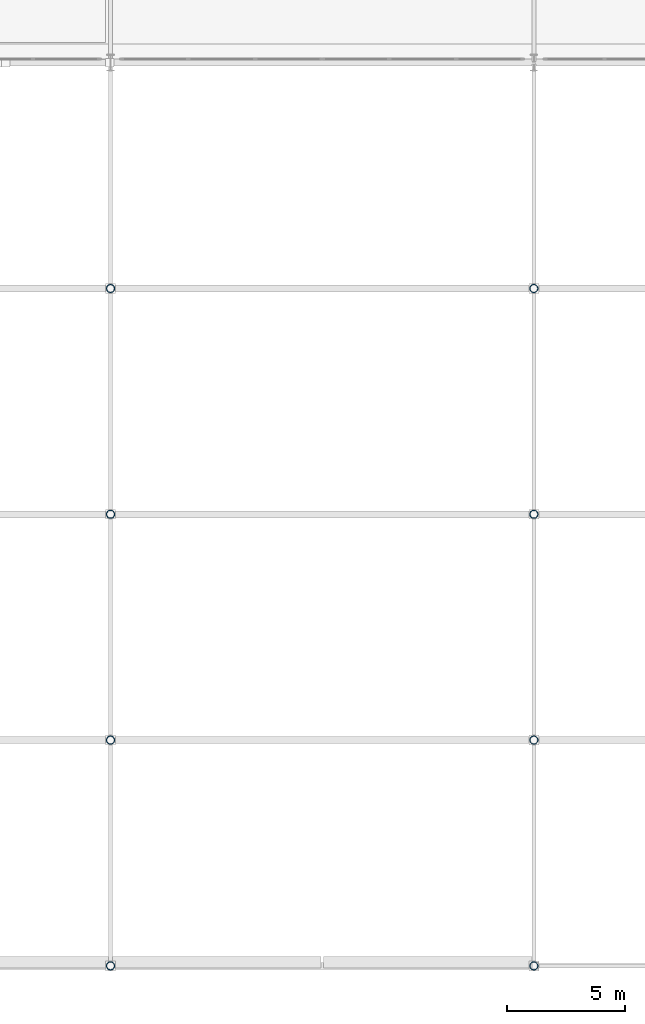
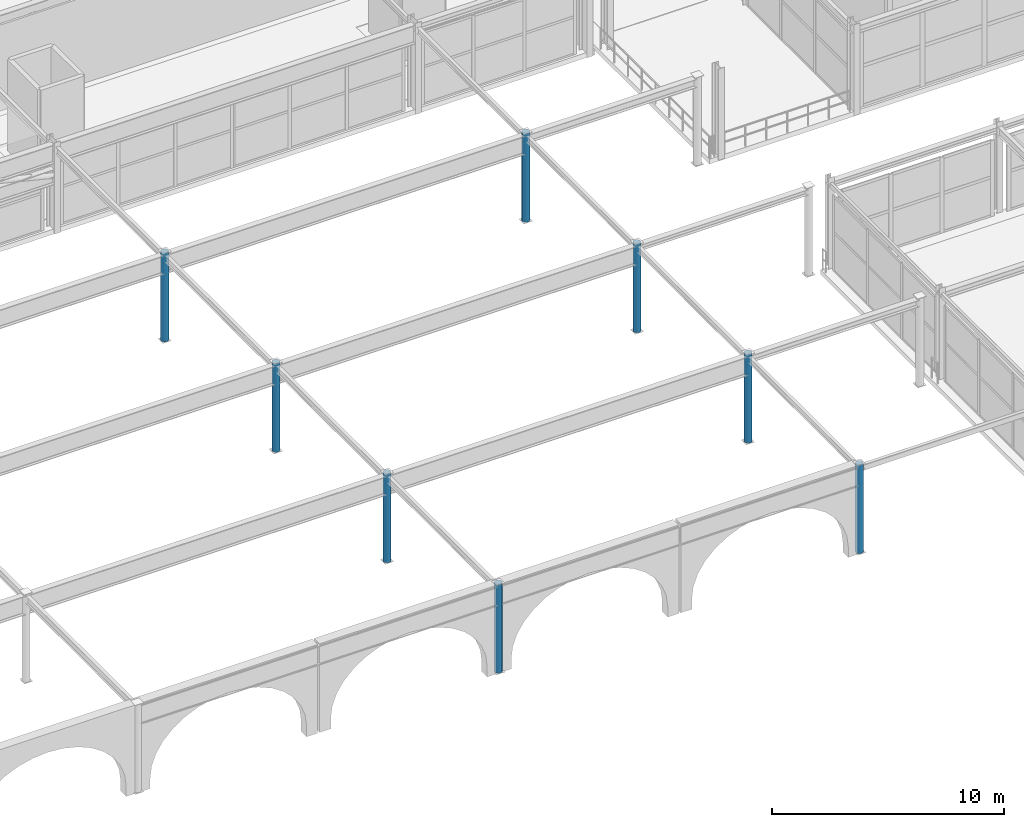
# One storey, part 2 of 125: 8 columns.
"""IFC4 building model written with IfcOpenShell, lengths in metres."""

from ifc_helpers import new_model, si_unit, direction, frame, origin, origin_2d, place, context, subcontext, project, spatial, hollow_circle, extrude, material, material_profile, profile_set, type_object, element, save


model = new_model("IFC4")

# Units and contexts
model_context = context("Model", 3, precision=1e-05, world=origin(), true_north=direction((0.0, 1.0)))
body_context = subcontext(model_context, "Body", "Model", "MODEL_VIEW")
ifc_project = project(units=[si_unit("LENGTHUNIT", "METRE"), si_unit("AREAUNIT", "SQUARE_METRE"), si_unit("VOLUMEUNIT", "CUBIC_METRE"), si_unit("PLANEANGLEUNIT", "RADIAN"), si_unit("MASSUNIT", "GRAM", prefix="KILO")], contexts=[model_context])

# Site, building, storey
site_placement = place(None, origin())
site = spatial("IfcSite", under=ifc_project, at=site_placement, CompositionType="ELEMENT")
building_placement = place(site_placement, origin())
building = spatial("IfcBuilding", under=site, at=building_placement, Name="Myrtia Square Station", CompositionType="ELEMENT")
storey_placement = place(building_placement, frame((0.0, 0.0, 6.0)))
storey = spatial("IfcBuildingStorey", under=building, at=storey_placement, Name="L01", CompositionType="ELEMENT", Elevation=6.0)

# Columns
ifc_material = material(Name="Steel S355", Category="steel")
ifc_material_profile = material_profile(ifc_material, hollow_circle(Radius=0.177734375, WallThickness=0.02001953125, at=origin_2d()), Name="CHS 355.6x20")
ifc_profile_set = profile_set([ifc_material_profile], Name="Steel S355")
column_type = type_object("IfcColumnType", Name="COL-CHS355", PredefinedType="COLUMN", material=ifc_profile_set)
for number, where, z_axis, x_axis, name in (
    (1, (45.0, 0.0, 0.0), (0.0, 0.0, 1.0), (1.0, 0.0, 0.0), "Column L01-0117"),
    (2, (45.0, 9.60009765625, 0.0), (0.0, 0.0, 1.0), (1.0, 0.0, 0.0), "Column L01-0120"),
    (3, (45.0, 19.199951171875, 0.0), (0.0, 0.0, 1.0), (1.0, 0.0, 0.0), "Column L01-0123"),
    (4, (45.0, 28.800048828125, 0.0), (0.0, 0.0, 1.0), (1.0, 0.0, 0.0), "Column L01-0126"),
    (5, (63.0, 0.0, 0.0), (0.0, 0.0, 1.0), (1.0, 0.0, 0.0), "Column L01-0159"),
    (6, (63.0, 9.60009765625, 0.0), (0.0, 0.0, 1.0), (1.0, 0.0, 0.0), "Column L01-0162"),
    (7, (63.0, 19.199951171875, 0.0), (0.0, 0.0, 1.0), (1.0, 0.0, 0.0), "Column L01-0165"),
    (8, (63.0, 28.800048828125, 0.0), (0.0, 0.0, 1.0), (1.0, 0.0, 0.0), "Column L01-0168"),
):
    element("IfcColumn", number, at=place(storey_placement, frame(where, z_axis=z_axis, x_axis=x_axis)), inside=storey, type_object=column_type, Name=name, PredefinedType="COLUMN", context=body_context, shape_type="SweptSolid", body=[
        extrude(hollow_circle(Radius=0.177734375, WallThickness=0.02001953125, at=origin_2d()), origin(), (0.0, 0.0, 1.0), 4.679931640625),
    ])

save(model, "model.ifc")
